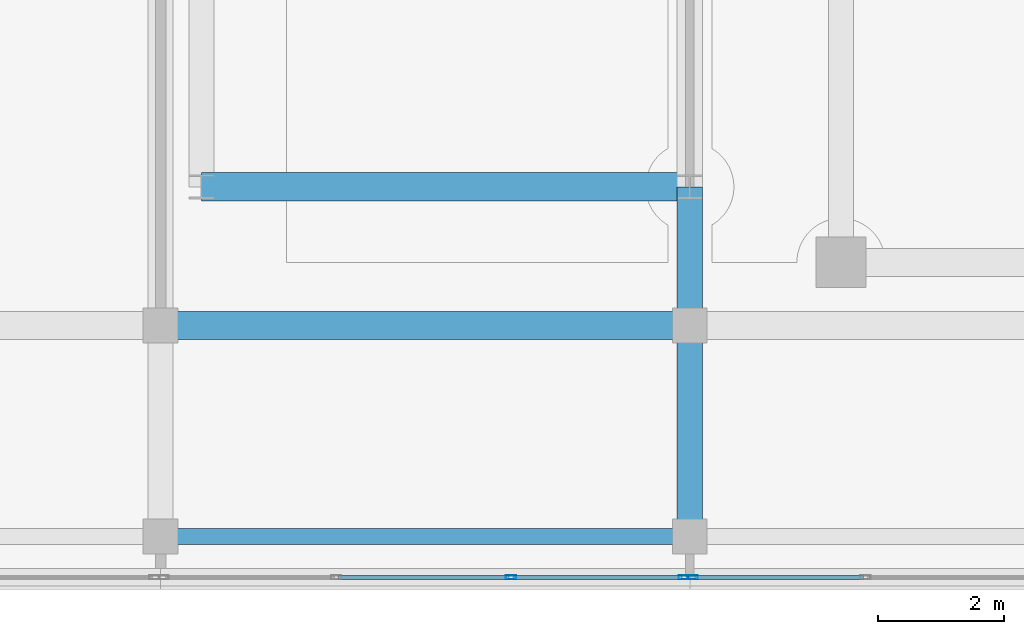
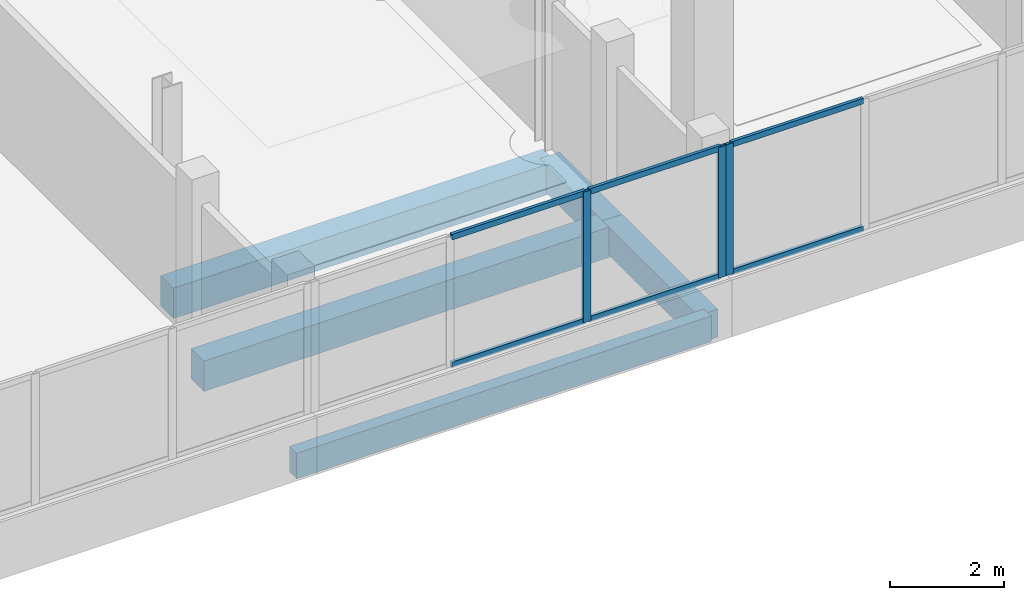
# One storey, part 10 of 67: 9 members, 5 beams, 2 elements without a shape of their own.
"""IFC4 building model written with IfcOpenShell, lengths in metres."""

from ifc_helpers import new_model, si_unit, direction, frame, origin, origin_2d, place, context, subcontext, project, spatial, rectangle, hollow_rectangle, extrude, material, material_profile, profile_set, type_object, element, aggregate, save


model = new_model("IFC4")

# Units and contexts
model_context = context("Model", 3, precision=1e-05, world=origin(), true_north=direction((0.0, 1.0)))
body_context = subcontext(model_context, "Body", "Model", "MODEL_VIEW")
ifc_project = project(units=[si_unit("LENGTHUNIT", "METRE"), si_unit("AREAUNIT", "SQUARE_METRE"), si_unit("VOLUMEUNIT", "CUBIC_METRE"), si_unit("PLANEANGLEUNIT", "RADIAN"), si_unit("MASSUNIT", "GRAM", prefix="KILO")], contexts=[model_context])

# Site, building, storey
site_placement = place(None, origin())
site = spatial("IfcSite", under=ifc_project, at=site_placement, CompositionType="ELEMENT")
building_placement = place(site_placement, origin())
building = spatial("IfcBuilding", under=site, at=building_placement, Name="Selatvlak General Hospital", CompositionType="ELEMENT")
storey_placement = place(building_placement, frame((0.0, 0.0, 35.39990234375)))
storey = spatial("IfcBuildingStorey", under=building, at=storey_placement, Name="L08", CompositionType="ELEMENT", Elevation=35.39990234375)

# Beams
ifc_material_1 = material(Name="Concrete C40/50", Category="concrete")
ifc_material_profile_1 = material_profile(ifc_material_1, rectangle(XDim=0.449951171875, YDim=0.64990234375, at=origin_2d()), Name="RC-BM 450x650")
ifc_profile_set_1 = profile_set([ifc_material_profile_1], Name="Concrete C40/50")
beam_type_1 = type_object("IfcBeamType", Name="BM-G04", PredefinedType="BEAM", material=ifc_profile_set_1)
beam_1_placement = place(storey_placement, frame((48.0, 92.0, -0.58984375), z_axis=(1.0, 0.0, 0.0), x_axis=(0.0, 1.0, 0.0)))
element("IfcBeam", 1, at=beam_1_placement, inside=storey, type_object=beam_type_1, Name="Beam BMR-L08-2571", PredefinedType="BEAM", context=body_context, shape_type="SweptSolid", body=[
    extrude(rectangle(XDim=0.449951171875, YDim=0.64990234375, at=origin_2d()), origin(), (0.0, 0.0, 1.0), 8.39990234375),
])
beam_2_placement = place(storey_placement, frame((48.64990234375, 94.199951171875, -0.58984375), z_axis=(1.0, 0.0, 0.0), x_axis=(0.0, 1.0, 0.0)))
element("IfcBeam", 2, at=beam_2_placement, inside=storey, type_object=beam_type_1, Name="Beam BMR-L08-2588", PredefinedType="BEAM", context=body_context, shape_type="SweptSolid", body=[
    extrude(rectangle(XDim=0.449951171875, YDim=0.64990234375, at=origin_2d()), origin(), (0.0, 0.0, 1.0), 7.75),
])
ifc_material_profile_2 = material_profile(ifc_material_1, rectangle(XDim=0.39990234375, YDim=0.60009765625, at=origin_2d()), Name="RC-BM 400x600")
ifc_profile_set_2 = profile_set([ifc_material_profile_2], Name="Concrete C40/50")
beam_type_2 = type_object("IfcBeamType", Name="BM-G05", PredefinedType="BEAM", material=ifc_profile_set_2)
beam_3_placement = place(storey_placement, frame((56.39990234375, 88.64990234375, -0.56494140625), z_axis=(0.0, 1.0, 0.0), x_axis=(-1.0, 0.0, 0.0)))
element("IfcBeam", 3, at=beam_3_placement, inside=storey, type_object=beam_type_2, Name="Beam BMR-L08-2648", PredefinedType="BEAM", context=body_context, shape_type="SweptSolid", body=[
    extrude(rectangle(XDim=0.39990234375, YDim=0.60009765625, at=origin_2d()), origin(), (0.0, 0.0, 1.0), 3.35009765625),
])
beam_4_placement = place(storey_placement, frame((56.39990234375, 92.0, -0.56494140625), z_axis=(0.0, 1.0, 0.0), x_axis=(-1.0, 0.0, 0.0)))
element("IfcBeam", 4, at=beam_4_placement, inside=storey, type_object=beam_type_2, Name="Beam BMR-L08-2649", PredefinedType="BEAM", context=body_context, shape_type="SweptSolid", body=[
    extrude(rectangle(XDim=0.39990234375, YDim=0.60009765625, at=origin_2d()), origin(), (0.0, 0.0, 1.0), 2.199951171875),
])
ifc_material_profile_3 = material_profile(ifc_material_1, rectangle(XDim=0.25, YDim=0.550048828125, at=origin_2d()), Name="RC-SP 250x550")
ifc_profile_set_3 = profile_set([ifc_material_profile_3], Name="Concrete C40/50")
beam_type_3 = type_object("IfcBeamType", Name="BM-SP2", PredefinedType="SPANDREL", material=ifc_profile_set_3)
beam_5_placement = place(storey_placement, frame((48.0, 88.64990234375, -0.539794921875), z_axis=(1.0, 0.0, 0.0), x_axis=(0.0, 1.0, 0.0)))
element("IfcBeam", 5, at=beam_5_placement, inside=storey, type_object=beam_type_3, Name="Beam BMR-L08-2554", PredefinedType="SPANDREL", context=body_context, shape_type="SweptSolid", body=[
    extrude(rectangle(XDim=0.25, YDim=0.550048828125, at=origin_2d()), origin(), (0.0, 0.0, 1.0), 8.39990234375),
])

# Curtain wall, member
ifc_material_2 = material(Name="Solar-control Low-E double glazing", Category="glass")
curtain_wall_type_1 = type_object("IfcCurtainWallType", Name="CW-CW-01", PredefinedType="USERDEFINED", material=ifc_material_2)
curtain_wall_1_placement = place(storey_placement, origin())
curtain_wall_1 = element("IfcCurtainWall", 6, at=curtain_wall_1_placement, inside=storey, type_object=curtain_wall_type_1, Name="Glazed facade curtain wall CW-L08-0712", ObjectType="UNITISED CURTAIN WALL", PredefinedType="USERDEFINED")
ifc_material_3 = material(Name="Dark anodised aluminium mullion", Category="aluminium")
ifc_material_profile_4 = material_profile(ifc_material_3, hollow_rectangle(XDim=0.06494140625, YDim=0.159912109375, WallThickness=0.00390625, at=origin_2d()), Name="AL-MUL 65x160x4")
ifc_profile_set_4 = profile_set([ifc_material_profile_4], Name="Dark anodised aluminium mullion")
member_type_1 = type_object("IfcMemberType", Name="CWM-01", PredefinedType="MULLION", material=ifc_profile_set_4)
member_1_placement = place(storey_placement, frame((56.447509765625, 88.0, 0.940185546875), z_axis=(0.0, 0.0, 1.0), x_axis=(0.0, -1.0, 0.0)))
member_1 = element("IfcMember", 7, at=member_1_placement, type_object=member_type_1, Name="CW-01 mullion 4", PredefinedType="MULLION", context=body_context, shape_type="SweptSolid", body=[
    extrude(hollow_rectangle(XDim=0.06494140625, YDim=0.159912109375, WallThickness=0.00390625, at=origin_2d()), origin(), (0.0, 0.0, 1.0), 2.7998046875),
])

# Curtain wall, members
curtain_wall_type_2 = type_object("IfcCurtainWallType", Name="CW-CW-02", PredefinedType="USERDEFINED", material=ifc_material_2)
curtain_wall_2_placement = place(storey_placement, origin())
curtain_wall_2 = element("IfcCurtainWall", 8, at=curtain_wall_2_placement, inside=storey, type_object=curtain_wall_type_2, Name="Glazed facade curtain wall CW-L08-0713", ObjectType="UNITISED CURTAIN WALL", PredefinedType="USERDEFINED")
member_2_placement = place(storey_placement, frame((56.302490234375, 88.0, 0.940185546875), z_axis=(0.0, 0.0, 1.0), x_axis=(0.0, -1.0, 0.0)))
member_2 = element("IfcMember", 9, at=member_2_placement, type_object=member_type_1, Name="CW-02 mullion 1", PredefinedType="MULLION", context=body_context, shape_type="SweptSolid", body=[
    extrude(hollow_rectangle(XDim=0.06494140625, YDim=0.159912109375, WallThickness=0.00390625, at=origin_2d()), origin(), (0.0, 0.0, 1.0), 2.7998046875),
])
member_3_placement = place(storey_placement, frame((53.561767578125, 88.0, 0.940185546875), z_axis=(0.0, 0.0, 1.0), x_axis=(0.0, -1.0, 0.0)))
member_3 = element("IfcMember", 10, at=member_3_placement, type_object=member_type_1, Name="CW-02 mullion 2", PredefinedType="MULLION", context=body_context, shape_type="SweptSolid", body=[
    extrude(hollow_rectangle(XDim=0.06494140625, YDim=0.159912109375, WallThickness=0.00390625, at=origin_2d()), origin(), (0.0, 0.0, 1.0), 2.7998046875),
])

# Member
ifc_material_profile_5 = material_profile(ifc_material_3, hollow_rectangle(XDim=0.06494140625, YDim=0.1201171875, WallThickness=0.00390625, at=origin_2d()), Name="AL-TRN 65x120x4")
ifc_profile_set_5 = profile_set([ifc_material_profile_5], Name="Dark anodised aluminium mullion")
member_type_2 = type_object("IfcMemberType", Name="CWT-01", PredefinedType="USERDEFINED", material=ifc_profile_set_5)
member_4_placement = place(storey_placement, frame((59.15576171875, 88.0, 0.97265625), z_axis=(-1.0, 0.0, 0.0), x_axis=(0.0, -1.0, 0.0)))
member_4 = element("IfcMember", 11, at=member_4_placement, type_object=member_type_2, Name="CW-01 transom 3.1", ObjectType="TRANSOM", PredefinedType="USERDEFINED", context=body_context, shape_type="SweptSolid", body=[
    extrude(hollow_rectangle(XDim=0.06494140625, YDim=0.1201171875, WallThickness=0.00390625, at=origin_2d()), origin(), (0.0, 0.0, 1.0), 2.67578125),
])

member_5_placement = place(storey_placement, frame((59.15576171875, 88.0, 3.70751953125), z_axis=(-1.0, 0.0, 0.0), x_axis=(0.0, -1.0, 0.0)))
member_5 = element("IfcMember", 12, at=member_5_placement, type_object=member_type_2, Name="CW-01 transom 3.2", ObjectType="TRANSOM", PredefinedType="USERDEFINED", context=body_context, shape_type="SweptSolid", body=[
    extrude(hollow_rectangle(XDim=0.06494140625, YDim=0.1201171875, WallThickness=0.00390625, at=origin_2d()), origin(), (0.0, 0.0, 1.0), 2.67578125),
])

aggregate(curtain_wall_1, [member_1, member_4, member_5])

member_6_placement = place(storey_placement, frame((56.27001953125, 88.0, 0.97265625), z_axis=(-1.0, 0.0, 0.0), x_axis=(0.0, -1.0, 0.0)))
member_6 = element("IfcMember", 13, at=member_6_placement, type_object=member_type_2, Name="CW-02 transom 1.1", ObjectType="TRANSOM", PredefinedType="USERDEFINED", context=body_context, shape_type="SweptSolid", body=[
    extrude(hollow_rectangle(XDim=0.06494140625, YDim=0.1201171875, WallThickness=0.00390625, at=origin_2d()), origin(), (0.0, 0.0, 1.0), 2.67578125),
])

member_7_placement = place(storey_placement, frame((56.27001953125, 88.0, 3.70751953125), z_axis=(-1.0, 0.0, 0.0), x_axis=(0.0, -1.0, 0.0)))
member_7 = element("IfcMember", 14, at=member_7_placement, type_object=member_type_2, Name="CW-02 transom 1.2", ObjectType="TRANSOM", PredefinedType="USERDEFINED", context=body_context, shape_type="SweptSolid", body=[
    extrude(hollow_rectangle(XDim=0.06494140625, YDim=0.1201171875, WallThickness=0.00390625, at=origin_2d()), origin(), (0.0, 0.0, 1.0), 2.67578125),
])

member_8_placement = place(storey_placement, frame((53.529052734375, 88.0, 0.97265625), z_axis=(-1.0, 0.0, 0.0), x_axis=(0.0, -1.0, 0.0)))
member_8 = element("IfcMember", 15, at=member_8_placement, type_object=member_type_2, Name="CW-02 transom 2.1", ObjectType="TRANSOM", PredefinedType="USERDEFINED", context=body_context, shape_type="SweptSolid", body=[
    extrude(hollow_rectangle(XDim=0.06494140625, YDim=0.1201171875, WallThickness=0.00390625, at=origin_2d()), origin(), (0.0, 0.0, 1.0), 2.708251953125),
])

member_9_placement = place(storey_placement, frame((53.529052734375, 88.0, 3.70751953125), z_axis=(-1.0, 0.0, 0.0), x_axis=(0.0, -1.0, 0.0)))
member_9 = element("IfcMember", 16, at=member_9_placement, type_object=member_type_2, Name="CW-02 transom 2.2", ObjectType="TRANSOM", PredefinedType="USERDEFINED", context=body_context, shape_type="SweptSolid", body=[
    extrude(hollow_rectangle(XDim=0.06494140625, YDim=0.1201171875, WallThickness=0.00390625, at=origin_2d()), origin(), (0.0, 0.0, 1.0), 2.708251953125),
])

aggregate(curtain_wall_2, [member_2, member_3, member_6, member_7, member_8, member_9])

save(model, "model.ifc")
